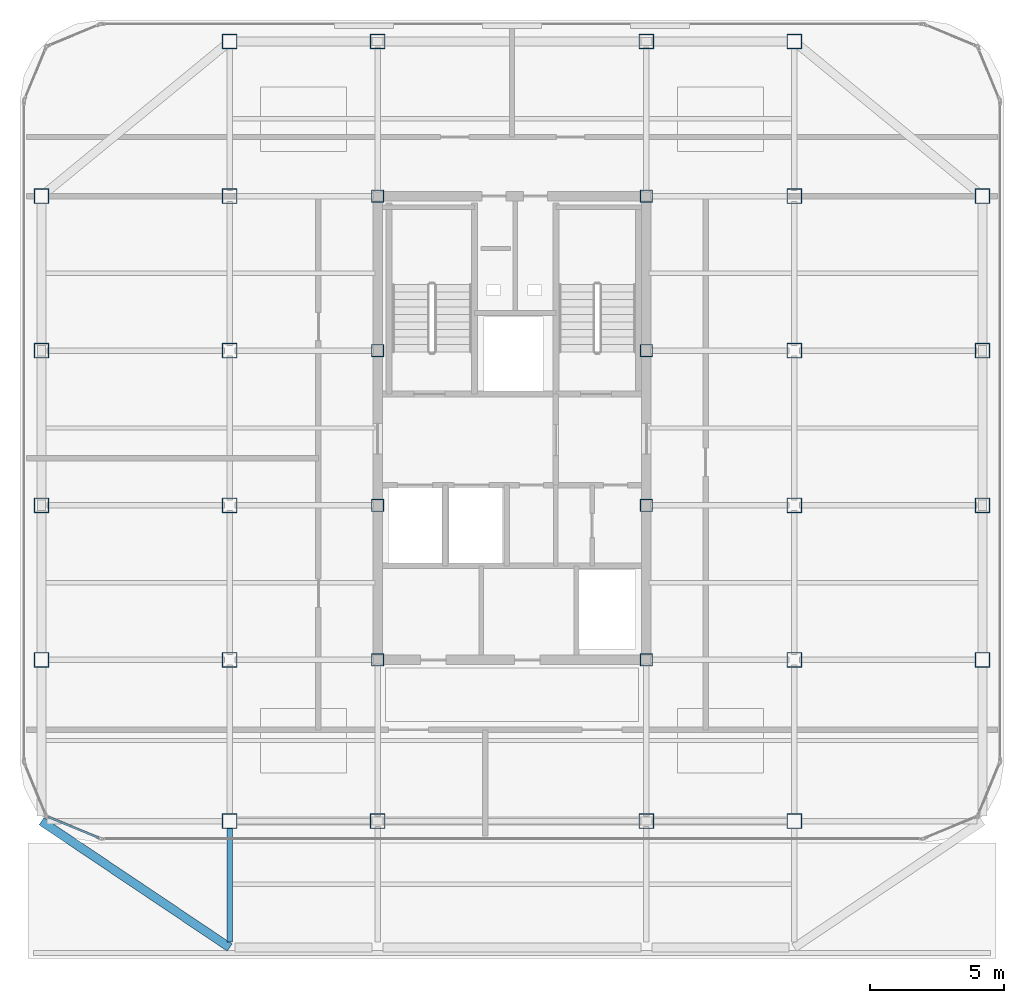
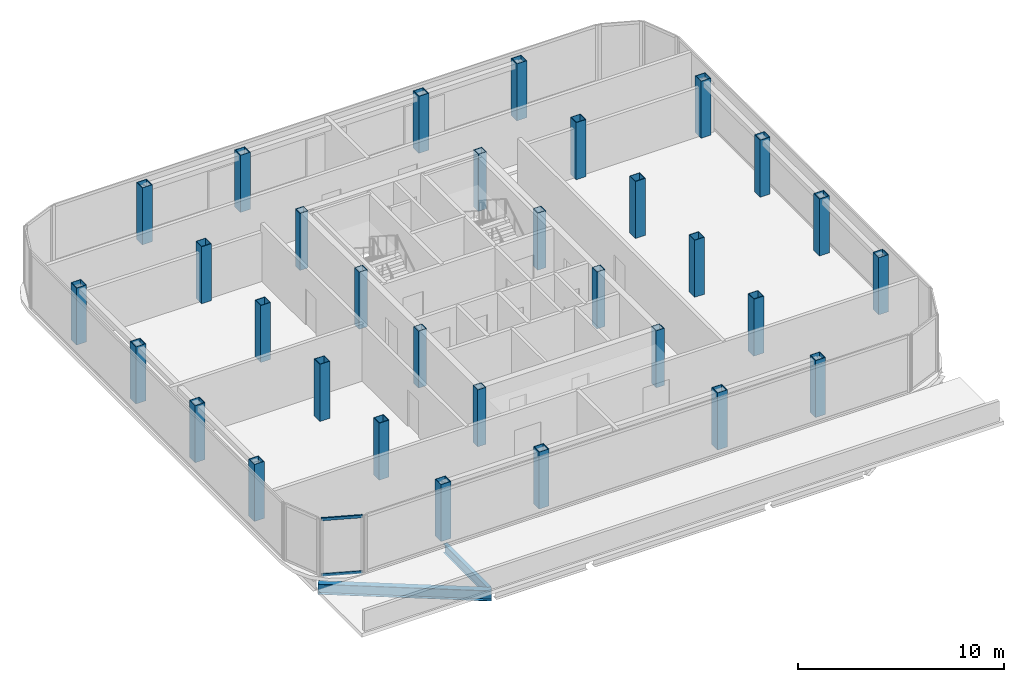
# One storey, part 1 of 15: 32 columns, 2 beams, 2 members, 1 element without a shape of its own.
"""IFC4 building model written with IfcOpenShell, lengths in metres."""

from ifc_helpers import new_model, si_unit, direction, frame, origin, origin_2d, place, context, subcontext, project, spatial, hollow_rectangle, i_section, extrude, source, transform, mapped, material, layer, layer_set, material_profile, profile_set, type_object, element, aggregate, save


model = new_model("IFC4")

# Units and contexts
model_context = context("Model", 3, precision=1e-05, world=origin(), true_north=direction((0.0, 1.0)))
body_context = subcontext(model_context, "Body", "Model", "MODEL_VIEW")
ifc_project = project(units=[si_unit("LENGTHUNIT", "METRE"), si_unit("AREAUNIT", "SQUARE_METRE"), si_unit("VOLUMEUNIT", "CUBIC_METRE"), si_unit("PLANEANGLEUNIT", "RADIAN"), si_unit("MASSUNIT", "GRAM", prefix="KILO")], contexts=[model_context])

# Site, building, storey
site_placement = place(None, origin())
site = spatial("IfcSite", under=ifc_project, at=site_placement, CompositionType="ELEMENT")
building_placement = place(site_placement, origin())
building = spatial("IfcBuilding", under=site, at=building_placement, Name="Kolveth Station Tower", CompositionType="ELEMENT")
storey_placement = place(building_placement, frame((0.0, 0.0, 271.300048828125)))
storey = spatial("IfcBuildingStorey", under=building, at=storey_placement, Name="L78", CompositionType="ELEMENT", Elevation=271.300048828125)

# Columns
ifc_material_1 = material(Name="Steel S355", Category="steel")
ifc_material_profile_1 = material_profile(ifc_material_1, hollow_rectangle(XDim=0.56005859375, YDim=0.56005859375, WallThickness=0.030029296875, at=origin_2d()), Name="BOX560x560x30")
ifc_profile_set_1 = profile_set([ifc_material_profile_1], Name="Steel S355")
column_type_1 = type_object("IfcColumnType", Name="Col_C8", PredefinedType="COLUMN", material=ifc_profile_set_1)
shared_shape_1 = source(origin(), body_context, "Body", "SweptSolid", [
    extrude(hollow_rectangle(XDim=0.56005859375, YDim=0.56005859375, WallThickness=0.030029296875, at=origin_2d()), origin(), (0.0, 0.0, 1.0), 3.3798828125),
])
for number, where, z_axis, x_axis, name in (
    (1, (13.0, 5.5, 0.0), (0.0, 0.0, 1.0), (1.0, 0.0, 0.0), "L78 Tower Column S-X130"),
    (2, (13.0, 34.5, 0.0), (0.0, 0.0, 1.0), (1.0, 0.0, 0.0), "L78 Tower Column N-X130"),
    (3, (18.5, 5.5, 0.0), (0.0, 0.0, 1.0), (1.0, 0.0, 0.0), "L78 Tower Column S-X185"),
    (4, (18.5, 34.5, 0.0), (0.0, 0.0, 1.0), (1.0, 0.0, 0.0), "L78 Tower Column N-X185"),
    (5, (28.5, 5.5, 0.0), (0.0, 0.0, 1.0), (1.0, 0.0, 0.0), "L78 Tower Column S-X285"),
    (6, (28.5, 34.5, 0.0), (0.0, 0.0, 1.0), (1.0, 0.0, 0.0), "L78 Tower Column N-X285"),
    (7, (34.0, 5.5, 0.0), (0.0, 0.0, 1.0), (1.0, 0.0, 0.0), "L78 Tower Column S-X340"),
    (8, (34.0, 34.5, 0.0), (0.0, 0.0, 1.0), (1.0, 0.0, 0.0), "L78 Tower Column N-X340"),
    (9, (6.0, 11.5, 0.0), (0.0, 0.0, 1.0), (1.0, 0.0, 0.0), "L78 Tower Column W-Y115"),
    (10, (41.0, 11.5, 0.0), (0.0, 0.0, 1.0), (1.0, 0.0, 0.0), "L78 Tower Column E-Y115"),
    (11, (6.0, 17.25, 0.0), (0.0, 0.0, 1.0), (1.0, 0.0, 0.0), "L78 Tower Column W-Y172"),
    (12, (41.0, 17.25, 0.0), (0.0, 0.0, 1.0), (1.0, 0.0, 0.0), "L78 Tower Column E-Y172"),
    (13, (6.0, 23.0, 0.0), (0.0, 0.0, 1.0), (1.0, 0.0, 0.0), "L78 Tower Column W-Y230"),
    (14, (41.0, 23.0, 0.0), (0.0, 0.0, 1.0), (1.0, 0.0, 0.0), "L78 Tower Column E-Y230"),
    (15, (6.0, 28.75, 0.0), (0.0, 0.0, 1.0), (1.0, 0.0, 0.0), "L78 Tower Column W-Y287"),
    (16, (41.0, 28.75, 0.0), (0.0, 0.0, 1.0), (1.0, 0.0, 0.0), "L78 Tower Column E-Y287"),
    (17, (13.0, 11.5, 0.0), (0.0, 0.0, 1.0), (1.0, 0.0, 0.0), "L78 Tower Column G-130-115"),
    (18, (13.0, 17.25, 0.0), (0.0, 0.0, 1.0), (1.0, 0.0, 0.0), "L78 Tower Column G-130-172"),
    (19, (13.0, 23.0, 0.0), (0.0, 0.0, 1.0), (1.0, 0.0, 0.0), "L78 Tower Column G-130-230"),
    (20, (13.0, 28.75, 0.0), (0.0, 0.0, 1.0), (1.0, 0.0, 0.0), "L78 Tower Column G-130-287"),
    (21, (34.0, 11.5, 0.0), (0.0, 0.0, 1.0), (1.0, 0.0, 0.0), "L78 Tower Column G-340-115"),
    (22, (34.0, 17.25, 0.0), (0.0, 0.0, 1.0), (1.0, 0.0, 0.0), "L78 Tower Column G-340-172"),
    (23, (34.0, 23.0, 0.0), (0.0, 0.0, 1.0), (1.0, 0.0, 0.0), "L78 Tower Column G-340-230"),
    (24, (34.0, 28.75, 0.0), (0.0, 0.0, 1.0), (1.0, 0.0, 0.0), "L78 Tower Column G-340-287"),
):
    element("IfcColumn", number, at=place(storey_placement, frame(where, z_axis=z_axis, x_axis=x_axis)), inside=storey, type_object=column_type_1, Name=name, PredefinedType="COLUMN", context=body_context, shape_type="MappedRepresentation", body=[
        mapped(shared_shape_1, transform((0.0, 0.0, 0.0), x_axis=(1.0, 0.0, 0.0), y_axis=(0.0, 1.0, 0.0), z_axis=(0.0, 0.0, 1.0), scale=1.0)),
    ])
ifc_material_profile_2 = material_profile(ifc_material_1, hollow_rectangle(XDim=0.4599609375, YDim=0.4599609375, WallThickness=0.02490234375, at=origin_2d()), Name="BOX460x460x25")
ifc_profile_set_2 = profile_set([ifc_material_profile_2], Name="Steel S355")
column_type_2 = type_object("IfcColumnType", Name="Col_C9", PredefinedType="COLUMN", material=ifc_profile_set_2)
shared_shape_2 = source(origin(), body_context, "Body", "SweptSolid", [
    extrude(hollow_rectangle(XDim=0.4599609375, YDim=0.4599609375, WallThickness=0.02490234375, at=origin_2d()), origin(), (0.0, 0.0, 1.0), 3.3798828125),
])
for number, where, z_axis, x_axis, name in (
    (25, (18.5, 11.5, 0.0), (0.0, 0.0, 1.0), (1.0, 0.0, 0.0), "L78 Tower Column G-185-115"),
    (26, (18.5, 17.25, 0.0), (0.0, 0.0, 1.0), (1.0, 0.0, 0.0), "L78 Tower Column G-185-172"),
    (27, (18.5, 23.0, 0.0), (0.0, 0.0, 1.0), (1.0, 0.0, 0.0), "L78 Tower Column G-185-230"),
    (28, (18.5, 28.75, 0.0), (0.0, 0.0, 1.0), (1.0, 0.0, 0.0), "L78 Tower Column G-185-287"),
    (29, (28.5, 11.5, 0.0), (0.0, 0.0, 1.0), (1.0, 0.0, 0.0), "L78 Tower Column G-285-115"),
    (30, (28.5, 17.25, 0.0), (0.0, 0.0, 1.0), (1.0, 0.0, 0.0), "L78 Tower Column G-285-172"),
    (31, (28.5, 23.0, 0.0), (0.0, 0.0, 1.0), (1.0, 0.0, 0.0), "L78 Tower Column G-285-230"),
    (32, (28.5, 28.75, 0.0), (0.0, 0.0, 1.0), (1.0, 0.0, 0.0), "L78 Tower Column G-285-287"),
):
    element("IfcColumn", number, at=place(storey_placement, frame(where, z_axis=z_axis, x_axis=x_axis)), inside=storey, type_object=column_type_2, Name=name, PredefinedType="COLUMN", context=body_context, shape_type="MappedRepresentation", body=[
        mapped(shared_shape_2, transform((0.0, 0.0, 0.0), x_axis=(1.0, 0.0, 0.0), y_axis=(0.0, 1.0, 0.0), z_axis=(0.0, 0.0, 1.0), scale=1.0)),
    ])

# Beams
ifc_material_profile_3 = material_profile(ifc_material_1, i_section(OverallWidth=0.323974609375, OverallDepth=0.611083984375, WebThickness=0.0126953125, FlangeThickness=0.01904296875, at=origin_2d()), Name="W610x155")
ifc_profile_set_3 = profile_set([ifc_material_profile_3], Name="Steel S355")
beam_type_1 = type_object("IfcBeamType", Name="Beam_SP2", PredefinedType="SPANDREL", material=ifc_profile_set_3)
shared_shape_3 = source(origin(), body_context, "Body", "SweptSolid", [
    extrude(i_section(OverallWidth=0.323974609375, OverallDepth=0.611083984375, WebThickness=0.0126953125, FlangeThickness=0.01904296875, at=origin_2d()), origin(), (0.0, 0.0, 1.0), 8.431396484375),
])
beam_1_placement = place(storey_placement, frame((6.0, 5.5, -0.525634765625), z_axis=(0.830223811004, -0.557430196206, 0.0), x_axis=(0.557430196206, 0.830223811004, 0.0)))
element("IfcBeam", 33, at=beam_1_placement, inside=storey, type_object=beam_type_1, Name="L78 Corner Edge Girder BM-L78-CNR-SW", PredefinedType="SPANDREL", context=body_context, shape_type="MappedRepresentation", body=[
    mapped(shared_shape_3, transform((0.0, 0.0, 0.0), x_axis=(1.0, 0.0, 0.0), y_axis=(0.0, 1.0, 0.0), z_axis=(0.0, 0.0, 1.0), scale=1.0)),
])
ifc_material_profile_4 = material_profile(ifc_material_1, i_section(OverallWidth=0.2099609375, OverallDepth=0.537109375, WebThickness=0.010986328125, FlangeThickness=0.017333984375, at=origin_2d()), Name="W530x101")
ifc_profile_set_4 = profile_set([ifc_material_profile_4], Name="Steel S355")
beam_type_2 = type_object("IfcBeamType", Name="Beam_B6", PredefinedType="BEAM", material=ifc_profile_set_4)
shared_shape_4 = source(origin(), body_context, "Body", "SweptSolid", [
    extrude(i_section(OverallWidth=0.2099609375, OverallDepth=0.537109375, WebThickness=0.010986328125, FlangeThickness=0.017333984375, at=origin_2d()), origin(), (0.0, 0.0, 1.0), 4.300048828125),
])
beam_2_placement = place(storey_placement, frame((13.0, 1.0, -0.488525390625), z_axis=(0.0, 1.0, 0.0), x_axis=(-1.0, 0.0, 0.0)))
element("IfcBeam", 34, at=beam_2_placement, inside=storey, type_object=beam_type_2, Name="L78 Primary Girder BM-L78-GX130-1", PredefinedType="BEAM", context=body_context, shape_type="MappedRepresentation", body=[
    mapped(shared_shape_4, transform((0.0, 0.0, 0.0), x_axis=(1.0, 0.0, 0.0), y_axis=(0.0, 1.0, 0.0), z_axis=(0.0, 0.0, 1.0), scale=1.0)),
])

# Curtain wall, members
ifc_material_2 = material(Name="Black anodized aluminium 6063-T6 and dark crown glass", Category="aluminium")
ifc_layer = layer(ifc_material_2, 0.169921875)
ifc_layer_set = layer_set([ifc_layer], Name="Black anodized aluminium 6063-T6 and dark crown glass")
curtain_wall_type = type_object("IfcCurtainWallType", Name="CurtainWall_CW-CR", PredefinedType="NOTDEFINED", material=ifc_layer_set)
curtain_wall_placement = place(storey_placement, origin())
curtain_wall = element("IfcCurtainWall", 35, at=curtain_wall_placement, inside=storey, type_object=curtain_wall_type, Name="L78 Stepped Crown Curtain Wall 11", PredefinedType="NOTDEFINED")
ifc_material_3 = material(Name="Black anodized aluminium 6063-T6", Category="aluminium")
ifc_material_profile_5 = material_profile(ifc_material_3, hollow_rectangle(XDim=0.080078125, YDim=0.1650390625, WallThickness=0.0048828125, at=origin_2d()), Name="ALU-80x165x5")
ifc_profile_set_5 = profile_set([ifc_material_profile_5], Name="Black anodized aluminium 6063-T6")
member_type = type_object("IfcMemberType", Name="Transom_TR-CR", PredefinedType="USERDEFINED", material=ifc_profile_set_5)
shared_shape_5 = source(origin(), body_context, "Body", "SweptSolid", [
    extrude(hollow_rectangle(XDim=0.080078125, YDim=0.1650390625, WallThickness=0.0048828125, at=origin_2d()), origin(), (0.0, 0.0, 1.0), 2.011474609375),
])
member_1_placement = place(storey_placement, frame((6.26318359375, 5.652099609375, 0.0400390625), z_axis=(0.92392216698, -0.382580487431, 0.0), x_axis=(0.382580487431, 0.92392216698, 0.0)))
member_1 = element("IfcMember", 36, at=member_1_placement, type_object=member_type, Name="CW-CR transom 1.1", ObjectType="TRANSOM", PredefinedType="USERDEFINED", context=body_context, shape_type="MappedRepresentation", body=[
    mapped(shared_shape_5, transform((0.0, 0.0, 0.0), x_axis=(1.0, 0.0, 0.0), y_axis=(0.0, 1.0, 0.0), z_axis=(0.0, 0.0, 1.0), scale=1.0)),
])
member_2_placement = place(storey_placement, frame((6.26318359375, 5.652099609375, 3.33984375), z_axis=(0.92392216698, -0.382580487431, 0.0), x_axis=(0.382580487431, 0.92392216698, 0.0)))
member_2 = element("IfcMember", 37, at=member_2_placement, type_object=member_type, Name="CW-CR transom 1.2", ObjectType="TRANSOM", PredefinedType="USERDEFINED", context=body_context, shape_type="MappedRepresentation", body=[
    mapped(shared_shape_5, transform((0.0, 0.0, 0.0), x_axis=(1.0, 0.0, 0.0), y_axis=(0.0, 1.0, 0.0), z_axis=(0.0, 0.0, 1.0), scale=1.0)),
])
aggregate(curtain_wall, [member_1, member_2])

save(model, "model.ifc")
